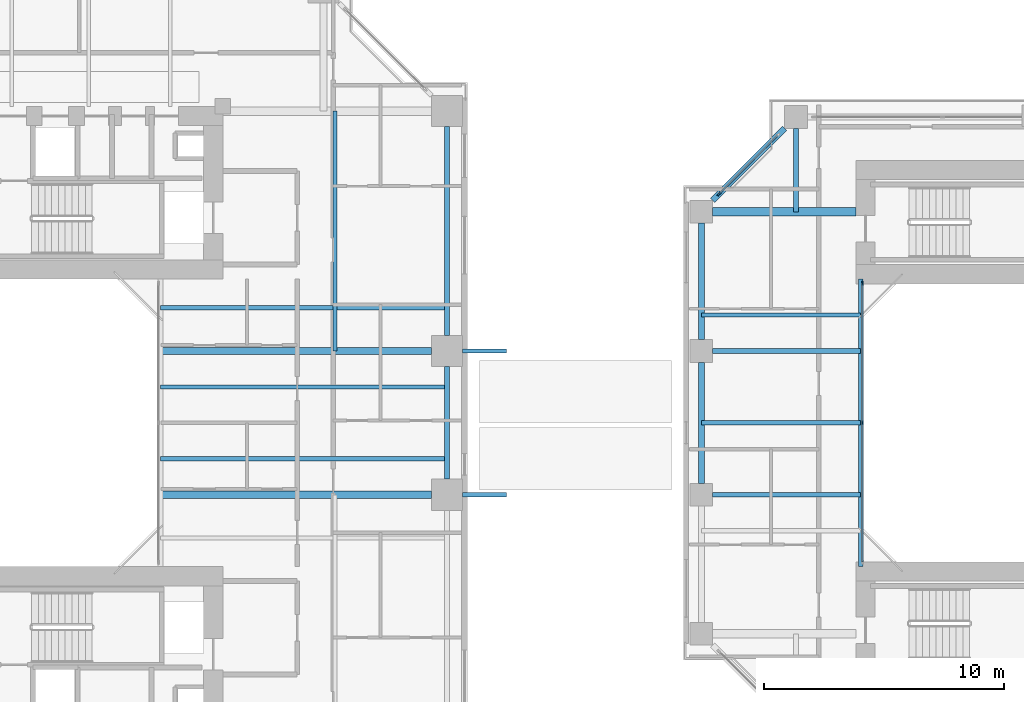
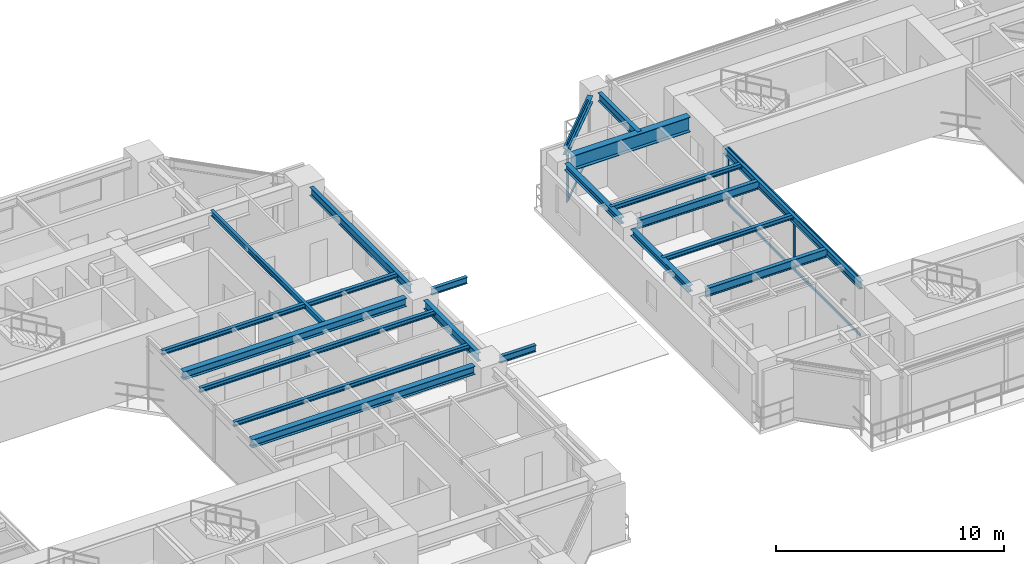
# One storey, part 7 of 23: 20 beams, 9 members, 2 elements without a shape of their own.
"""IFC4 building model written with IfcOpenShell, lengths in metres."""

from ifc_helpers import new_model, si_unit, direction, frame, origin, origin_2d, place, context, subcontext, project, spatial, rectangle, i_section, extrude, source, transform, mapped, material, layer, layer_set, material_profile, profile_set, type_object, element, aggregate, save


model = new_model("IFC4")

# Units and contexts
model_context = context("Model", 3, precision=1e-05, world=origin(), true_north=direction((0.0, 1.0)))
body_context = subcontext(model_context, "Body", "Model", "MODEL_VIEW")
ifc_project = project(units=[si_unit("LENGTHUNIT", "METRE"), si_unit("AREAUNIT", "SQUARE_METRE"), si_unit("VOLUMEUNIT", "CUBIC_METRE"), si_unit("PLANEANGLEUNIT", "RADIAN"), si_unit("MASSUNIT", "GRAM", prefix="KILO"), si_unit("THERMODYNAMICTEMPERATUREUNIT", "KELVIN"), si_unit("POWERUNIT", "WATT")], contexts=[model_context])

# Site, building, storey
site_placement = place(None, origin())
site = spatial("IfcSite", under=ifc_project, at=site_placement, CompositionType="ELEMENT")
building_placement = place(site_placement, origin())
building = spatial("IfcBuilding", under=site, at=building_placement, Name="Qiaomeng Ring Towers", CompositionType="ELEMENT")
storey_placement = place(building_placement, frame((0.0, 0.0, 50.25)))
storey = spatial("IfcBuildingStorey", under=building, at=storey_placement, Name="L13", CompositionType="ELEMENT", Elevation=50.25)

# Beams
ifc_material_1 = material(Name="Steel Q355B", Category="steel")
ifc_material_profile_1 = material_profile(ifc_material_1, i_section(OverallWidth=0.199951171875, OverallDepth=0.449951171875, WebThickness=0.009033203125, FlangeThickness=0.013916015625, FilletRadius=0.01806640625, at=origin_2d()), Name="HN 450x200x9x14")
ifc_profile_set_1 = profile_set([ifc_material_profile_1], Name="Steel Q355B")
beam_type_1 = type_object("IfcBeamType", Name="STR-BM-HN450", PredefinedType="SPANDREL", material=ifc_profile_set_1)
shared_shape_1 = source(origin(), body_context, "Body", "SweptSolid", [
    extrude(i_section(OverallWidth=0.199951171875, OverallDepth=0.449951171875, WebThickness=0.009033203125, FlangeThickness=0.013916015625, FilletRadius=0.01806640625, at=origin_2d()), origin(), (0.0, 0.0, 1.0), 8.7021484375),
])
beam_1_placement = place(storey_placement, frame((37.14990234375, 26.64892578125, 2.844970703125), z_axis=(0.0, 1.0, 0.0), x_axis=(-1.0, 0.0, 0.0)))
element("IfcBeam", 1, at=beam_1_placement, inside=storey, type_object=beam_type_1, Name="L13 beam STR-SP-L13-T1-E3-E4", PredefinedType="SPANDREL", context=body_context, shape_type="MappedRepresentation", body=[
    mapped(shared_shape_1, transform((0.0, 0.0, 0.0), x_axis=(1.0, 0.0, 0.0), y_axis=(0.0, 1.0, 0.0), z_axis=(0.0, 0.0, 1.0), scale=1.0)),
])
shared_shape_2 = source(origin(), body_context, "Body", "SweptSolid", [
    extrude(i_section(OverallWidth=0.199951171875, OverallDepth=0.449951171875, WebThickness=0.009033203125, FlangeThickness=0.013916015625, FilletRadius=0.01806640625, at=origin_2d()), origin(), (0.0, 0.0, 1.0), 4.7021484375),
])
beam_2_placement = place(storey_placement, frame((37.14990234375, 20.64892578125, 2.844970703125), z_axis=(0.0, 1.0, 0.0), x_axis=(-1.0, 0.0, 0.0)))
element("IfcBeam", 2, at=beam_2_placement, inside=storey, type_object=beam_type_1, Name="L13 beam STR-SP-L13-T1-E2-E3", PredefinedType="SPANDREL", context=body_context, shape_type="MappedRepresentation", body=[
    mapped(shared_shape_2, transform((0.0, 0.0, 0.0), x_axis=(1.0, 0.0, 0.0), y_axis=(0.0, 1.0, 0.0), z_axis=(0.0, 0.0, 1.0), scale=1.0)),
])
ifc_material_profile_2 = material_profile(ifc_material_1, i_section(OverallWidth=0.300048828125, OverallDepth=0.43994140625, WebThickness=0.010986328125, FlangeThickness=0.01806640625, FilletRadius=0.02392578125, at=origin_2d()), Name="HM 440x300x11x18")
ifc_profile_set_2 = profile_set([ifc_material_profile_2], Name="Steel Q355B")
beam_type_2 = type_object("IfcBeamType", Name="STR-BM-HM440", PredefinedType="BEAM", material=ifc_profile_set_2)
shared_shape_3 = source(origin(), body_context, "Body", "SweptSolid", [
    extrude(i_section(OverallWidth=0.300048828125, OverallDepth=0.43994140625, WebThickness=0.010986328125, FlangeThickness=0.01806640625, FilletRadius=0.02392578125, at=origin_2d()), origin(), (0.0, 0.0, 1.0), 11.301025390625),
])
for number, where, z_axis, x_axis, name in (
    (3, (25.199951171875, 20.0, 2.85009765625), (1.0, 0.0, 0.0), (0.0, 1.0, 0.0), "L13 beam STR-BM-L13-T1-RAD-E2"),
    (4, (25.199951171875, 26.0, 2.85009765625), (1.0, 0.0, 0.0), (0.0, 1.0, 0.0), "L13 beam STR-BM-L13-T1-RAD-E3"),
):
    element("IfcBeam", number, at=place(storey_placement, frame(where, z_axis=z_axis, x_axis=x_axis)), inside=storey, type_object=beam_type_2, Name=name, PredefinedType="BEAM", context=body_context, shape_type="MappedRepresentation", body=[
        mapped(shared_shape_3, transform((0.0, 0.0, 0.0), x_axis=(1.0, 0.0, 0.0), y_axis=(0.0, 1.0, 0.0), z_axis=(0.0, 0.0, 1.0), scale=1.0)),
    ])
ifc_material_profile_3 = material_profile(ifc_material_1, i_section(OverallWidth=0.175048828125, OverallDepth=0.35009765625, WebThickness=0.007080078125, FlangeThickness=0.010986328125, FilletRadius=0.013916015625, at=origin_2d()), Name="HN 350x175x7x11")
ifc_profile_set_3 = profile_set([ifc_material_profile_3], Name="Steel Q355B")
beam_type_3 = type_object("IfcBeamType", Name="STR-BM-HN350", PredefinedType="JOIST", material=ifc_profile_set_3)
shared_shape_4 = source(origin(), body_context, "Body", "SweptSolid", [
    extrude(i_section(OverallWidth=0.175048828125, OverallDepth=0.35009765625, WebThickness=0.007080078125, FlangeThickness=0.010986328125, FilletRadius=0.013916015625, at=origin_2d()), origin(), (0.0, 0.0, 1.0), 1.821044921875),
])
for number, where, z_axis, x_axis, name in (
    (5, (37.799072265625, 20.0, 2.89501953125), (1.0, 0.0, 0.0), (0.0, 1.0, 0.0), "L13 beam STR-BALBM-L13-E2"),
    (6, (37.799072265625, 26.0, 2.89501953125), (1.0, 0.0, 0.0), (0.0, 1.0, 0.0), "L13 beam STR-BALBM-L13-E3"),
):
    element("IfcBeam", number, at=place(storey_placement, frame(where, z_axis=z_axis, x_axis=x_axis)), inside=storey, type_object=beam_type_3, Name=name, PredefinedType="JOIST", context=body_context, shape_type="MappedRepresentation", body=[
        mapped(shared_shape_4, transform((0.0, 0.0, 0.0), x_axis=(1.0, 0.0, 0.0), y_axis=(0.0, 1.0, 0.0), z_axis=(0.0, 0.0, 1.0), scale=1.0)),
    ])
ifc_material_profile_4 = material_profile(ifc_material_1, i_section(OverallWidth=0.25, OverallDepth=0.340087890625, WebThickness=0.009033203125, FlangeThickness=0.013916015625, FilletRadius=0.02001953125, at=origin_2d()), Name="HM 340x250x9x14")
ifc_profile_set_4 = profile_set([ifc_material_profile_4], Name="Steel Q355B")
beam_type_4 = type_object("IfcBeamType", Name="STR-BM-HM340", PredefinedType="SPANDREL", material=ifc_profile_set_4)
shared_shape_5 = source(origin(), body_context, "Body", "SweptSolid", [
    extrude(i_section(OverallWidth=0.25, OverallDepth=0.340087890625, WebThickness=0.009033203125, FlangeThickness=0.013916015625, FilletRadius=0.02001953125, at=origin_2d()), origin(), (0.0, 0.0, 1.0), 4.244384765625),
])
beam_3_placement = place(storey_placement, frame((51.2255859375, 35.275634765625, 2.89990234375), z_axis=(-0.707106781187, -0.707106781187, 0.0), x_axis=(0.707106781187, -0.707106781187, 0.0)))
element("IfcBeam", 7, at=beam_3_placement, inside=storey, type_object=beam_type_4, Name="L13 beam STR-SP-L13-T2-N1-W4", PredefinedType="SPANDREL", context=body_context, shape_type="MappedRepresentation", body=[
    mapped(shared_shape_5, transform((0.0, 0.0, 0.0), x_axis=(1.0, 0.0, 0.0), y_axis=(0.0, 1.0, 0.0), z_axis=(0.0, 0.0, 1.0), scale=1.0)),
])
shared_shape_6 = source(origin(), body_context, "Body", "SweptSolid", [
    extrude(i_section(OverallWidth=0.25, OverallDepth=0.340087890625, WebThickness=0.009033203125, FlangeThickness=0.013916015625, FilletRadius=0.02001953125, at=origin_2d()), origin(), (0.0, 0.0, 1.0), 4.851806640625),
])
beam_4_placement = place(storey_placement, frame((47.75, 31.325927734375, 2.89990234375), z_axis=(0.0, -1.0, 0.0), x_axis=(1.0, 0.0, 0.0)))
element("IfcBeam", 8, at=beam_4_placement, inside=storey, type_object=beam_type_4, Name="L13 beam STR-SP-L13-T2-W4-W3", PredefinedType="SPANDREL", context=body_context, shape_type="MappedRepresentation", body=[
    mapped(shared_shape_6, transform((0.0, 0.0, 0.0), x_axis=(1.0, 0.0, 0.0), y_axis=(0.0, 1.0, 0.0), z_axis=(0.0, 0.0, 1.0), scale=1.0)),
])
shared_shape_7 = source(origin(), body_context, "Body", "SweptSolid", [
    extrude(i_section(OverallWidth=0.25, OverallDepth=0.340087890625, WebThickness=0.009033203125, FlangeThickness=0.013916015625, FilletRadius=0.02001953125, at=origin_2d()), origin(), (0.0, 0.0, 1.0), 5.0517578125),
])
beam_5_placement = place(storey_placement, frame((47.75, 25.52587890625, 2.89990234375), z_axis=(0.0, -1.0, 0.0), x_axis=(1.0, 0.0, 0.0)))
element("IfcBeam", 9, at=beam_5_placement, inside=storey, type_object=beam_type_4, Name="L13 beam STR-SP-L13-T2-W3-W2", PredefinedType="SPANDREL", context=body_context, shape_type="MappedRepresentation", body=[
    mapped(shared_shape_7, transform((0.0, 0.0, 0.0), x_axis=(1.0, 0.0, 0.0), y_axis=(0.0, 1.0, 0.0), z_axis=(0.0, 0.0, 1.0), scale=1.0)),
])
ifc_material_profile_5 = material_profile(ifc_material_1, i_section(OverallWidth=0.199951171875, OverallDepth=0.39990234375, WebThickness=0.008056640625, FlangeThickness=0.012939453125, FilletRadius=0.01611328125, at=origin_2d()), Name="HN 400x200x8x13")
ifc_profile_set_5 = profile_set([ifc_material_profile_5], Name="Steel Q355B")
beam_type_5 = type_object("IfcBeamType", Name="STR-BM-HN400", PredefinedType="SPANDREL", material=ifc_profile_set_5)
shared_shape_8 = source(origin(), body_context, "Body", "SweptSolid", [
    extrude(i_section(OverallWidth=0.199951171875, OverallDepth=0.39990234375, WebThickness=0.008056640625, FlangeThickness=0.012939453125, FilletRadius=0.01611328125, at=origin_2d()), origin(), (0.0, 0.0, 1.0), 12.0),
])
beam_6_placement = place(storey_placement, frame((54.39990234375, 17.0, 2.8701171875), z_axis=(0.0, 1.0, 0.0), x_axis=(-1.0, 0.0, 0.0)))
element("IfcBeam", 10, at=beam_6_placement, inside=storey, type_object=beam_type_5, Name="L13 beam STR-BM-L13-T2-WELL-W", PredefinedType="SPANDREL", context=body_context, shape_type="MappedRepresentation", body=[
    mapped(shared_shape_8, transform((0.0, 0.0, 0.0), x_axis=(1.0, 0.0, 0.0), y_axis=(0.0, 1.0, 0.0), z_axis=(0.0, 0.0, 1.0), scale=1.0)),
])
ifc_material_2 = material(Name="Steel Q390GJC", Category="steel")
ifc_material_profile_6 = material_profile(ifc_material_2, i_section(OverallWidth=0.35009765625, OverallDepth=0.800048828125, WebThickness=0.01611328125, FlangeThickness=0.028076171875, at=origin_2d()), Name="WH 800x350x16x28")
ifc_profile_set_6 = profile_set([ifc_material_profile_6], Name="Steel Q390GJC")
beam_type_6 = type_object("IfcBeamType", Name="STR-BM-WH800", PredefinedType="BEAM", material=ifc_profile_set_6)
shared_shape_9 = source(origin(), body_context, "Body", "SweptSolid", [
    extrude(i_section(OverallWidth=0.35009765625, OverallDepth=0.800048828125, WebThickness=0.01611328125, FlangeThickness=0.028076171875, at=origin_2d()), origin(), (0.0, 0.0, 1.0), 5.975830078125),
])
beam_7_placement = place(storey_placement, frame((48.22412109375, 31.800048828125, 2.669921875), z_axis=(1.0, 0.0, 0.0), x_axis=(0.0, 1.0, 0.0)))
element("IfcBeam", 11, at=beam_7_placement, inside=storey, type_object=beam_type_6, Name="L13 beam STR-BM-L13-T2-RAD-W4", PredefinedType="BEAM", context=body_context, shape_type="MappedRepresentation", body=[
    mapped(shared_shape_9, transform((0.0, 0.0, 0.0), x_axis=(1.0, 0.0, 0.0), y_axis=(0.0, 1.0, 0.0), z_axis=(0.0, 0.0, 1.0), scale=1.0)),
])
shared_shape_10 = source(origin(), body_context, "Body", "SweptSolid", [
    extrude(i_section(OverallWidth=0.199951171875, OverallDepth=0.449951171875, WebThickness=0.009033203125, FlangeThickness=0.013916015625, FilletRadius=0.01806640625, at=origin_2d()), origin(), (0.0, 0.0, 1.0), 6.17578125),
])
for number, where, z_axis, x_axis, name in (
    (12, (48.22412109375, 20.0, 2.844970703125), (1.0, 0.0, 0.0), (0.0, 1.0, 0.0), "L13 beam STR-BM-L13-T2-RAD-W2"),
    (13, (48.22412109375, 26.0, 2.844970703125), (1.0, 0.0, 0.0), (0.0, 1.0, 0.0), "L13 beam STR-BM-L13-T2-RAD-W3"),
):
    element("IfcBeam", number, at=place(storey_placement, frame(where, z_axis=z_axis, x_axis=x_axis)), inside=storey, type_object=beam_type_1, Name=name, PredefinedType="SPANDREL", context=body_context, shape_type="MappedRepresentation", body=[
        mapped(shared_shape_10, transform((0.0, 0.0, 0.0), x_axis=(1.0, 0.0, 0.0), y_axis=(0.0, 1.0, 0.0), z_axis=(0.0, 0.0, 1.0), scale=1.0)),
    ])
shared_shape_11 = source(origin(), body_context, "Body", "SweptSolid", [
    extrude(i_section(OverallWidth=0.199951171875, OverallDepth=0.449951171875, WebThickness=0.009033203125, FlangeThickness=0.013916015625, FilletRadius=0.01806640625, at=origin_2d()), origin(), (0.0, 0.0, 1.0), 3.475830078125),
])
beam_8_placement = place(storey_placement, frame((51.699951171875, 35.27587890625, 2.844970703125), z_axis=(0.0, -1.0, 0.0), x_axis=(1.0, 0.0, 0.0)))
element("IfcBeam", 14, at=beam_8_placement, inside=storey, type_object=beam_type_1, Name="L13 beam STR-BM-L13-T2-RAD-N1", PredefinedType="SPANDREL", context=body_context, shape_type="MappedRepresentation", body=[
    mapped(shared_shape_11, transform((0.0, 0.0, 0.0), x_axis=(1.0, 0.0, 0.0), y_axis=(0.0, 1.0, 0.0), z_axis=(0.0, 0.0, 1.0), scale=1.0)),
])
ifc_material_profile_7 = material_profile(ifc_material_1, i_section(OverallWidth=0.175048828125, OverallDepth=0.243896484375, WebThickness=0.007080078125, FlangeThickness=0.010986328125, FilletRadius=0.01611328125, at=origin_2d()), Name="HM 244x175x7x11")
ifc_profile_set_7 = profile_set([ifc_material_profile_7], Name="Steel Q355B")
beam_type_7 = type_object("IfcBeamType", Name="STR-BM-HM244", PredefinedType="JOIST", material=ifc_profile_set_7)
shared_shape_12 = source(origin(), body_context, "Body", "SweptSolid", [
    extrude(i_section(OverallWidth=0.175048828125, OverallDepth=0.243896484375, WebThickness=0.007080078125, FlangeThickness=0.010986328125, FilletRadius=0.01611328125, at=origin_2d()), origin(), (0.0, 0.0, 1.0), 11.949951171875),
])
for number, where, z_axis, x_axis, name in (
    (15, (25.199951171875, 21.5, 2.947998046875), (1.0, 0.0, 0.0), (0.0, 1.0, 0.0), "L13 beam STR-JST-L13-T1E-2"),
    (16, (25.199951171875, 24.5, 2.947998046875), (1.0, 0.0, 0.0), (0.0, 1.0, 0.0), "L13 beam STR-JST-L13-T1E-3"),
    (17, (25.199951171875, 27.800048828125, 2.947998046875), (1.0, 0.0, 0.0), (0.0, 1.0, 0.0), "L13 beam STR-JST-L13-T1E-4"),
):
    element("IfcBeam", number, at=place(storey_placement, frame(where, z_axis=z_axis, x_axis=x_axis)), inside=storey, type_object=beam_type_7, Name=name, PredefinedType="JOIST", context=body_context, shape_type="MappedRepresentation", body=[
        mapped(shared_shape_12, transform((0.0, 0.0, 0.0), x_axis=(1.0, 0.0, 0.0), y_axis=(0.0, 1.0, 0.0), z_axis=(0.0, 0.0, 1.0), scale=1.0)),
    ])
ifc_material_profile_8 = material_profile(ifc_material_1, i_section(OverallWidth=0.14990234375, OverallDepth=0.300048828125, WebThickness=0.006591796875, FlangeThickness=0.009033203125, FilletRadius=0.012939453125, at=origin_2d()), Name="HN 300x150x6.5x9")
ifc_profile_set_8 = profile_set([ifc_material_profile_8], Name="Steel Q355B")
beam_type_8 = type_object("IfcBeamType", Name="STR-BM-HN300", PredefinedType="JOIST", material=ifc_profile_set_8)
shared_shape_13 = source(origin(), body_context, "Body", "SweptSolid", [
    extrude(i_section(OverallWidth=0.14990234375, OverallDepth=0.300048828125, WebThickness=0.006591796875, FlangeThickness=0.009033203125, FilletRadius=0.012939453125, at=origin_2d()), origin(), (0.0, 0.0, 1.0), 10.0),
])
beam_9_placement = place(storey_placement, frame((32.47509765625, 26.0, 2.919921875), z_axis=(0.0, 1.0, 0.0), x_axis=(-1.0, 0.0, 0.0)))
element("IfcBeam", 18, at=beam_9_placement, inside=storey, type_object=beam_type_8, Name="L13 beam STR-JST-L13-T1C-EN", PredefinedType="JOIST", context=body_context, shape_type="MappedRepresentation", body=[
    mapped(shared_shape_13, transform((0.0, 0.0, 0.0), x_axis=(1.0, 0.0, 0.0), y_axis=(0.0, 1.0, 0.0), z_axis=(0.0, 0.0, 1.0), scale=1.0)),
])
shared_shape_14 = source(origin(), body_context, "Body", "SweptSolid", [
    extrude(i_section(OverallWidth=0.175048828125, OverallDepth=0.243896484375, WebThickness=0.007080078125, FlangeThickness=0.010986328125, FilletRadius=0.01611328125, at=origin_2d()), origin(), (0.0, 0.0, 1.0), 6.64990234375),
])
for number, where, z_axis, x_axis, name in (
    (19, (47.75, 23.0, 2.947998046875), (1.0, 0.0, 0.0), (0.0, 1.0, 0.0), "L13 beam STR-JST-L13-T2W-2"),
    (20, (47.75, 27.5, 2.947998046875), (1.0, 0.0, 0.0), (0.0, 1.0, 0.0), "L13 beam STR-JST-L13-T2W-3"),
):
    element("IfcBeam", number, at=place(storey_placement, frame(where, z_axis=z_axis, x_axis=x_axis)), inside=storey, type_object=beam_type_7, Name=name, PredefinedType="JOIST", context=body_context, shape_type="MappedRepresentation", body=[
        mapped(shared_shape_14, transform((0.0, 0.0, 0.0), x_axis=(1.0, 0.0, 0.0), y_axis=(0.0, 1.0, 0.0), z_axis=(0.0, 0.0, 1.0), scale=1.0)),
    ])

# Curtain wall, members
ifc_material_3 = material(Name="Fluorocarbon dark-grey aluminium", Category="aluminium")
ifc_layer_1 = layer(ifc_material_3, 0.139892578125, Name="Fluorocarbon dark-grey aluminium")
ifc_layer_set_1 = layer_set([ifc_layer_1], Name="Fluorocarbon dark-grey aluminium")
curtain_wall_type_1 = type_object("IfcCurtainWallType", Name="ARC-CW-4", PredefinedType="NOTDEFINED", material=ifc_layer_set_1)
curtain_wall_1_placement = place(storey_placement, origin())
curtain_wall_1 = element("IfcCurtainWall", 21, at=curtain_wall_1_placement, inside=storey, type_object=curtain_wall_type_1, Name="L13 Curtain Wall CW4", PredefinedType="NOTDEFINED")
ifc_material_profile_9 = material_profile(ifc_material_3, rectangle(XDim=0.06494140625, YDim=0.159912109375, at=origin_2d()), Name="ALU MULL 65x160")
ifc_profile_set_9 = profile_set([ifc_material_profile_9], Name="Fluorocarbon dark-grey aluminium")
member_type_1 = type_object("IfcMemberType", Name="ARC-CWM-140", PredefinedType="MULLION", material=ifc_profile_set_9)
shared_shape_15 = source(origin(), body_context, "Body", "SweptSolid", [
    extrude(rectangle(XDim=0.06494140625, YDim=0.159912109375, at=origin_2d()), origin(), (0.0, 0.0, 1.0), 3.070068359375),
])
member_1_placement = place(storey_placement, frame((54.47998046875, 23.0, 0.0), z_axis=(0.0, 0.0, 1.0), x_axis=(-1.0, 0.0, 0.0)))
member_1 = element("IfcMember", 22, at=member_1_placement, type_object=member_type_1, Name="CW4 mullion 2", PredefinedType="MULLION", context=body_context, shape_type="MappedRepresentation", body=[
    mapped(shared_shape_15, transform((0.0, 0.0, 0.0), x_axis=(1.0, 0.0, 0.0), y_axis=(0.0, 1.0, 0.0), z_axis=(0.0, 0.0, 1.0), scale=1.0)),
])
member_2_placement = place(storey_placement, frame((54.47998046875, 28.8173828125, 0.0), z_axis=(0.0, 0.0, 1.0), x_axis=(-1.0, 0.0, 0.0)))
member_2 = element("IfcMember", 23, at=member_2_placement, type_object=member_type_1, Name="CW4 mullion 3", PredefinedType="MULLION", context=body_context, shape_type="MappedRepresentation", body=[
    mapped(shared_shape_15, transform((0.0, 0.0, 0.0), x_axis=(1.0, 0.0, 0.0), y_axis=(0.0, 1.0, 0.0), z_axis=(0.0, 0.0, 1.0), scale=1.0)),
])
ifc_material_profile_10 = material_profile(ifc_material_3, rectangle(XDim=0.06494140625, YDim=0.1298828125, at=origin_2d()), Name="ALU TRAN 65x130")
ifc_profile_set_10 = profile_set([ifc_material_profile_10], Name="Fluorocarbon dark-grey aluminium")
member_type_2 = type_object("IfcMemberType", Name="ARC-CWT-120", PredefinedType="USERDEFINED", material=ifc_profile_set_10)
shared_shape_16 = source(origin(), body_context, "Body", "SweptSolid", [
    extrude(rectangle(XDim=0.06494140625, YDim=0.1298828125, at=origin_2d()), origin(), (0.0, 0.0, 1.0), 5.75244140625),
])
member_3_placement = place(storey_placement, frame((54.47998046875, 17.215087890625, 0.032470703125), z_axis=(0.0, 1.0, 0.0), x_axis=(-1.0, 0.0, 0.0)))
member_3 = element("IfcMember", 24, at=member_3_placement, type_object=member_type_2, Name="CW4 transom 1.1", ObjectType="TRANSOM", PredefinedType="USERDEFINED", context=body_context, shape_type="MappedRepresentation", body=[
    mapped(shared_shape_16, transform((0.0, 0.0, 0.0), x_axis=(1.0, 0.0, 0.0), y_axis=(0.0, 1.0, 0.0), z_axis=(0.0, 0.0, 1.0), scale=1.0)),
])
member_4_placement = place(storey_placement, frame((54.47998046875, 17.215087890625, 3.03759765625), z_axis=(0.0, 1.0, 0.0), x_axis=(-1.0, 0.0, 0.0)))
member_4 = element("IfcMember", 25, at=member_4_placement, type_object=member_type_2, Name="CW4 transom 1.2", ObjectType="TRANSOM", PredefinedType="USERDEFINED", context=body_context, shape_type="MappedRepresentation", body=[
    mapped(shared_shape_16, transform((0.0, 0.0, 0.0), x_axis=(1.0, 0.0, 0.0), y_axis=(0.0, 1.0, 0.0), z_axis=(0.0, 0.0, 1.0), scale=1.0)),
])
member_5_placement = place(storey_placement, frame((54.47998046875, 23.032470703125, 0.032470703125), z_axis=(0.0, 1.0, 0.0), x_axis=(-1.0, 0.0, 0.0)))
member_5 = element("IfcMember", 26, at=member_5_placement, type_object=member_type_2, Name="CW4 transom 2.1", ObjectType="TRANSOM", PredefinedType="USERDEFINED", context=body_context, shape_type="MappedRepresentation", body=[
    mapped(shared_shape_16, transform((0.0, 0.0, 0.0), x_axis=(1.0, 0.0, 0.0), y_axis=(0.0, 1.0, 0.0), z_axis=(0.0, 0.0, 1.0), scale=1.0)),
])
member_6_placement = place(storey_placement, frame((54.47998046875, 23.032470703125, 3.03759765625), z_axis=(0.0, 1.0, 0.0), x_axis=(-1.0, 0.0, 0.0)))
member_6 = element("IfcMember", 27, at=member_6_placement, type_object=member_type_2, Name="CW4 transom 2.2", ObjectType="TRANSOM", PredefinedType="USERDEFINED", context=body_context, shape_type="MappedRepresentation", body=[
    mapped(shared_shape_16, transform((0.0, 0.0, 0.0), x_axis=(1.0, 0.0, 0.0), y_axis=(0.0, 1.0, 0.0), z_axis=(0.0, 0.0, 1.0), scale=1.0)),
])
aggregate(curtain_wall_1, [member_1, member_2, member_3, member_4, member_5, member_6])

ifc_layer_2 = layer(ifc_material_3, 0.14990234375, Name="Fluorocarbon dark-grey aluminium")
ifc_layer_set_2 = layer_set([ifc_layer_2], Name="Fluorocarbon dark-grey aluminium")
curtain_wall_type_2 = type_object("IfcCurtainWallType", Name="ARC-CW-5", PredefinedType="NOTDEFINED", material=ifc_layer_set_2)
curtain_wall_2_placement = place(storey_placement, origin())
curtain_wall_2 = element("IfcCurtainWall", 28, at=curtain_wall_2_placement, inside=storey, type_object=curtain_wall_type_2, Name="L13 Curtain Wall CW5", PredefinedType="NOTDEFINED")
ifc_material_profile_11 = material_profile(ifc_material_3, rectangle(XDim=0.070068359375, YDim=0.179931640625, at=origin_2d()), Name="ALU MULL 70x180")
ifc_profile_set_11 = profile_set([ifc_material_profile_11], Name="Fluorocarbon dark-grey aluminium")
member_type_3 = type_object("IfcMemberType", Name="ARC-CWM-160", PredefinedType="MULLION", material=ifc_profile_set_11)
shared_shape_17 = source(origin(), body_context, "Body", "SweptSolid", [
    extrude(rectangle(XDim=0.070068359375, YDim=0.179931640625, at=origin_2d()), origin(), (0.0, 0.0, 1.0), 3.070068359375),
])
member_7_placement = place(storey_placement, frame((48.48974609375, 32.539794921875, 0.0), z_axis=(0.0, 0.0, 1.0), x_axis=(0.707106781187, -0.707106781187, 0.0)))
member_7 = element("IfcMember", 29, at=member_7_placement, type_object=member_type_3, Name="CW5 mullion 2", PredefinedType="MULLION", context=body_context, shape_type="MappedRepresentation", body=[
    mapped(shared_shape_17, transform((0.0, 0.0, 0.0), x_axis=(1.0, 0.0, 0.0), y_axis=(0.0, 1.0, 0.0), z_axis=(0.0, 0.0, 1.0), scale=1.0)),
])
shared_shape_18 = source(origin(), body_context, "Body", "SweptSolid", [
    extrude(rectangle(XDim=0.06494140625, YDim=0.1298828125, at=origin_2d()), origin(), (0.0, 0.0, 1.0), 3.424072265625),
])
member_8_placement = place(storey_placement, frame((50.935546875, 34.985595703125, 0.032470703125), z_axis=(-0.707106781187, -0.707106781187, 0.0), x_axis=(0.707106781187, -0.707106781187, 0.0)))
member_8 = element("IfcMember", 30, at=member_8_placement, type_object=member_type_2, Name="CW5 transom 1.1", ObjectType="TRANSOM", PredefinedType="USERDEFINED", context=body_context, shape_type="MappedRepresentation", body=[
    mapped(shared_shape_18, transform((0.0, 0.0, 0.0), x_axis=(1.0, 0.0, 0.0), y_axis=(0.0, 1.0, 0.0), z_axis=(0.0, 0.0, 1.0), scale=1.0)),
])
member_9_placement = place(storey_placement, frame((50.935546875, 34.985595703125, 3.03759765625), z_axis=(-0.707106781187, -0.707106781187, 0.0), x_axis=(0.707106781187, -0.707106781187, 0.0)))
member_9 = element("IfcMember", 31, at=member_9_placement, type_object=member_type_2, Name="CW5 transom 1.2", ObjectType="TRANSOM", PredefinedType="USERDEFINED", context=body_context, shape_type="MappedRepresentation", body=[
    mapped(shared_shape_18, transform((0.0, 0.0, 0.0), x_axis=(1.0, 0.0, 0.0), y_axis=(0.0, 1.0, 0.0), z_axis=(0.0, 0.0, 1.0), scale=1.0)),
])
aggregate(curtain_wall_2, [member_7, member_8, member_9])

save(model, "model.ifc")
